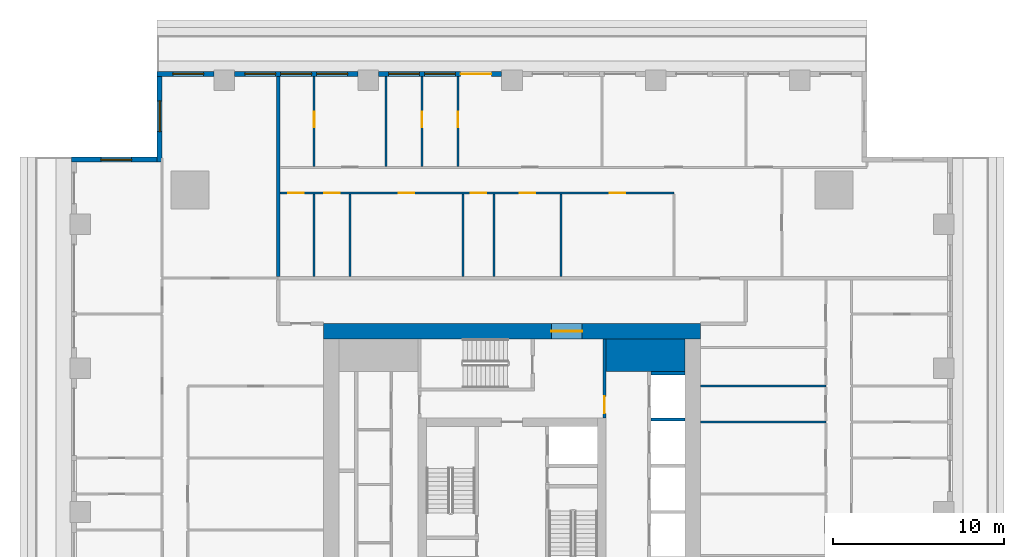
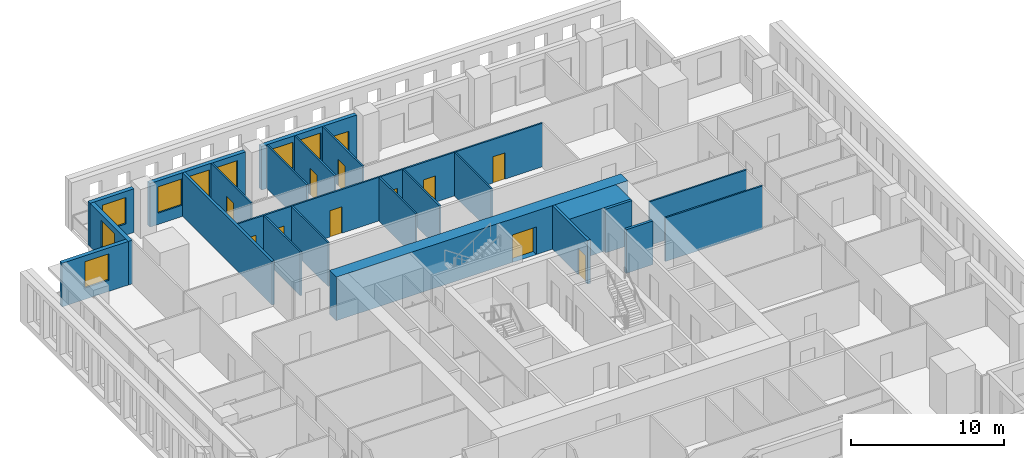
# One storey, part 7 of 14: 23 walls, 12 doors, 8 windows, 20 openings.
"""IFC4 building model written with IfcOpenShell, lengths in metres."""

from ifc_helpers import new_model, si_unit, direction, frame, frame_2d, origin, place, context, subcontext, project, spatial, rectangle, extrude, material, layer, layer_set, type_object, element, fill, save


model = new_model("IFC4")

# Units and contexts
model_context = context("Model", 3, precision=1e-05, world=origin(), true_north=direction((0.0, 1.0)))
body_context = subcontext(model_context, "Body", "Model", "MODEL_VIEW")
ifc_project = project(units=[si_unit("LENGTHUNIT", "METRE"), si_unit("AREAUNIT", "SQUARE_METRE"), si_unit("VOLUMEUNIT", "CUBIC_METRE"), si_unit("PLANEANGLEUNIT", "RADIAN"), si_unit("MASSUNIT", "GRAM", prefix="KILO")], contexts=[model_context])

# Site, building, storey
site_placement = place(None, origin())
site = spatial("IfcSite", under=ifc_project, at=site_placement, CompositionType="ELEMENT")
building_placement = place(site_placement, origin())
building = spatial("IfcBuilding", under=site, at=building_placement, Name="Khepri Terraces", CompositionType="ELEMENT")
storey_placement = place(building_placement, frame((0.0, 0.0, 267.89990234375)))
storey = spatial("IfcBuildingStorey", under=building, at=storey_placement, Name="L64", CompositionType="ELEMENT", Elevation=267.89990234375)

# Walls
ifc_material_1 = material(Name="Concrete C40/50", Category="concrete")
ifc_layer_1 = layer(ifc_material_1, 1.89990234375, Name="Concrete C40/50", Category="concrete")
ifc_layer_set_1 = layer_set([ifc_layer_1], Name="Concrete C40/50")
wall_type_1 = type_object("IfcWallType", Name="Core wall 1900 C40/50", PredefinedType="SHEAR", material=ifc_layer_set_1)
wall_1_placement = place(storey_placement, frame((5.5, 9.14990234375, 0.0), z_axis=(0.0, 0.0, 1.0), x_axis=(1.0, 0.0, 0.0)))
element("IfcWall", 1, at=wall_1_placement, inside=storey, type_object=wall_type_1, Name="Core wall PR04 L64", PredefinedType="SHEAR", context=body_context, shape_type="SweptSolid", body=[
    extrude(rectangle(XDim=4.60009765625, YDim=1.89990234375, at=frame_2d((2.300048828125, 0.0))), origin(), (0.0, 0.0, 1.0), 3.47998046875),
])
ifc_layer_2 = layer(ifc_material_1, 0.199951171875, Name="Concrete C40/50", Category="concrete")
ifc_layer_set_2 = layer_set([ifc_layer_2], Name="Concrete C40/50")
wall_type_2 = type_object("IfcWallType", Name="Core wall 200 C40/50", PredefinedType="SHEAR", material=ifc_layer_set_2)
for number, where, z_axis, x_axis, name in (
    (2, (8.10009765625, 5.39990234375, 0.0), (0.0, 0.0, 1.0), (1.0, 0.0, 0.0), "Core wall SH14 L64"),
    (3, (8.10009765625, 8.10009765625, 0.0), (0.0, 0.0, 1.0), (1.0, 0.0, 0.0), "Core wall SH15 L64"),
):
    element("IfcWall", number, at=place(storey_placement, frame(where, z_axis=z_axis, x_axis=x_axis)), inside=storey, type_object=wall_type_2, Name=name, PredefinedType="SHEAR", context=body_context, shape_type="SweptSolid", body=[
        extrude(rectangle(XDim=2.0, YDim=0.199951171875, at=frame_2d((1.0, 0.0))), origin(), (0.0, 0.0, 1.0), 3.47998046875),
    ])

# Wall, opening, door
ifc_layer_3 = layer(ifc_material_1, 0.89990234375, Name="Concrete C40/50", Category="concrete")
ifc_layer_set_3 = layer_set([ifc_layer_3], Name="Concrete C40/50")
wall_type_3 = type_object("IfcWallType", Name="Core wall 900 C40/50", PredefinedType="SHEAR", material=ifc_layer_set_3)
wall_2_placement = place(storey_placement, frame((-11.0, 10.550048828125, 0.0), z_axis=(0.0, 0.0, 1.0), x_axis=(1.0, 0.0, 0.0)))
wall_2 = element("IfcWall", 4, at=wall_2_placement, inside=storey, type_object=wall_type_3, Name="Core wall OW-N L64", PredefinedType="SHEAR", context=body_context, shape_type="SweptSolid", body=[
    extrude(rectangle(XDim=22.0, YDim=0.89990234375, at=frame_2d((11.0, 0.0))), origin(), (0.0, 0.0, 1.0), 3.47998046875),
])
opening_1_placement = place(wall_2_placement, frame((13.300048828125, 0.0, 0.0)))
opening_1 = element("IfcOpeningElement", 5, at=opening_1_placement, cuts=wall_2, Name="Opening L64-C20", PredefinedType="OPENING", context=body_context, shape_type="SweptSolid", body=[
    extrude(rectangle(XDim=1.800048828125, YDim=2.199951171875, at=frame_2d((0.89990234375, 1.10009765625))), frame((0.0, 0.4599609375, 0.0), z_axis=(0.0, -1.0, 0.0), x_axis=(1.0, 0.0, 0.0)), (0.0, 0.0, 1.0), 0.919921875),
])
ifc_material_2 = material(Name="Painted steel", Category="steel")
door_type_1 = type_object("IfcDoorType", Name="DR-CORE-ENTRANCE-1800", OperationType="NOTDEFINED", PredefinedType="DOOR", material=ifc_material_2)
door_1_placement = place(opening_1_placement, origin())
door_1 = element("IfcDoor", 6, at=door_1_placement, inside=storey, type_object=door_type_1, Name="Core entrance door pair L64-C20", OperationType="DOUBLE_DOOR_SINGLE_SWING", OverallHeight=2.199951171875, OverallWidth=1.800048828125, PredefinedType="DOOR", context=body_context, shape_type="SweptSolid", body=[
    extrude(rectangle(XDim=1.800048828125, YDim=2.199951171875, at=frame_2d((0.89990234375, 1.10009765625))), frame((0.0, 0.02490234375, 0.0), z_axis=(0.0, -1.0, 0.0), x_axis=(1.0, 0.0, 0.0)), (0.0, 0.0, 1.0), 0.050048828125),
])
fill(opening_1, door_1)

ifc_material_3 = material(Name="Fire-rated gypsum board partition")
ifc_layer_4 = layer(ifc_material_3, 0.199951171875, Name="Fire-rated gypsum board partition")
ifc_layer_set_4 = layer_set([ifc_layer_4], Name="Fire-rated gypsum board partition")
wall_type_4 = type_object("IfcWallType", Name="WL-CORE-PART-200", PredefinedType="PARTITIONING", material=ifc_layer_set_4)
wall_3_placement = place(storey_placement, frame((5.39990234375, 5.5, 0.0), z_axis=(0.0, 0.0, 1.0), x_axis=(0.0, 1.0, 0.0)))
wall_3 = element("IfcWall", 7, at=wall_3_placement, inside=storey, type_object=wall_type_4, Name="Core partition PT13 L64", PredefinedType="PARTITIONING", context=body_context, shape_type="SweptSolid", body=[
    extrude(rectangle(XDim=4.60009765625, YDim=0.199951171875, at=frame_2d((2.300048828125, 0.0))), origin(), (0.0, 0.0, 1.0), 3.47998046875),
])
opening_2_placement = place(wall_3_placement, frame((0.25, 0.0, 0.0)))
opening_2 = element("IfcOpeningElement", 8, at=opening_2_placement, cuts=wall_3, Name="Opening L64-C17", PredefinedType="OPENING", context=body_context, shape_type="SweptSolid", body=[
    extrude(rectangle(XDim=1.0, YDim=2.10009765625, at=frame_2d((0.5, 1.050048828125))), frame((0.0, 0.10986328125, 0.0), z_axis=(0.0, -1.0, 0.0), x_axis=(1.0, 0.0, 0.0)), (0.0, 0.0, 1.0), 0.219970703125),
])
door_type_2 = type_object("IfcDoorType", Name="DR-CORE-LOBBY-1000", OperationType="NOTDEFINED", PredefinedType="DOOR", material=ifc_material_2)
door_2_placement = place(opening_2_placement, origin())
door_2 = element("IfcDoor", 9, at=door_2_placement, inside=storey, type_object=door_type_2, Name="Lobby door L64-C17", OperationType="SINGLE_SWING_LEFT", OverallHeight=2.10009765625, OverallWidth=1.0, PredefinedType="DOOR", context=body_context, shape_type="SweptSolid", body=[
    extrude(rectangle(XDim=1.0, YDim=2.10009765625, at=frame_2d((0.5, 1.050048828125))), frame((0.0, 0.02490234375, 0.0), z_axis=(0.0, -1.0, 0.0), x_axis=(1.0, 0.0, 0.0)), (0.0, 0.0, 1.0), 0.050048828125),
])
fill(opening_2, door_2)

# Wall
ifc_material_4 = material(Name="Fire-rated gypsum plasterboard partition, mineral wool")
ifc_layer_5 = layer(ifc_material_4, 0.199951171875, Name="Fire-rated gypsum plasterboard partition, mineral wool")
ifc_layer_set_5 = layer_set([ifc_layer_5], Name="Fire-rated gypsum plasterboard partition, mineral wool")
wall_type_5 = type_object("IfcWallType", Name="WL-CORR-200", PredefinedType="PARTITIONING", material=ifc_layer_set_5)
wall_4_placement = place(storey_placement, frame((-13.64990234375, 13.75, 0.0), z_axis=(0.0, 0.0, 1.0), x_axis=(0.0, 1.0, 0.0)))
element("IfcWall", 10, at=wall_4_placement, inside=storey, type_object=wall_type_5, Name="Partition P-083 L64", PredefinedType="PARTITIONING", context=body_context, shape_type="SweptSolid", body=[
    extrude(rectangle(XDim=11.669921875, YDim=0.199951171875, at=frame_2d((5.8349609375, 0.0))), origin(), (0.0, 0.0, 1.0), 3.47998046875),
])

# Wall, openings, door, windows
ifc_material_5 = material(Name="Precast concrete C50/60 warm stone", Category="masonry")
ifc_layer_6 = layer(ifc_material_5, 0.300048828125, Name="Precast concrete C50/60 warm stone", Category="masonry")
ifc_layer_set_6 = layer_set([ifc_layer_6], Name="Precast concrete C50/60 warm stone")
wall_type_6 = type_object("IfcWallType", Name="WL-EXT-PRECAST-300", PredefinedType="STANDARD", material=ifc_layer_set_6)
wall_5_placement = place(storey_placement, frame((-0.60009765625, 25.570068359375, 0.0), z_axis=(0.0, 0.0, 1.0), x_axis=(-1.0, 0.0, 0.0)))
wall_5 = element("IfcWall", 11, at=wall_5_placement, inside=storey, type_object=wall_type_6, Name="External wall L64 N", PredefinedType="STANDARD", context=body_context, shape_type="SweptSolid", body=[
    extrude(rectangle(XDim=7.199951171875, YDim=0.300048828125, at=frame_2d((3.60009765625, 0.0))), origin(), (0.0, 0.0, 1.0), 3.47998046875),
])
opening_3_placement = place(wall_5_placement, frame((0.60009765625, 0.0, 0.0)))
opening_3 = element("IfcOpeningElement", 12, at=opening_3_placement, cuts=wall_5, Name="Opening ED-L64-10", PredefinedType="OPENING", context=body_context, shape_type="SweptSolid", body=[
    extrude(rectangle(XDim=1.800048828125, YDim=2.39990234375, at=frame_2d((0.89990234375, 1.199951171875))), frame((0.0, 0.16015625, 0.0), z_axis=(0.0, -1.0, 0.0), x_axis=(1.0, 0.0, 0.0)), (0.0, 0.0, 1.0), 0.320068359375),
])
opening_4_placement = place(wall_5_placement, frame((2.699951171875, 0.0, 0.89990234375)))
opening_4 = element("IfcOpeningElement", 13, at=opening_4_placement, cuts=wall_5, Name="Opening W1", PredefinedType="OPENING", context=body_context, shape_type="SweptSolid", body=[
    extrude(rectangle(XDim=1.800048828125, YDim=2.10009765625, at=frame_2d((0.89990234375, 1.050048828125))), frame((0.0, 0.16015625, 0.0), z_axis=(0.0, -1.0, 0.0), x_axis=(1.0, 0.0, 0.0)), (0.0, 0.0, 1.0), 0.320068359375),
])
opening_5_placement = place(wall_5_placement, frame((4.800048828125, 0.0, 0.89990234375)))
opening_5 = element("IfcOpeningElement", 14, at=opening_5_placement, cuts=wall_5, Name="Opening W1", PredefinedType="OPENING", context=body_context, shape_type="SweptSolid", body=[
    extrude(rectangle(XDim=1.800048828125, YDim=2.10009765625, at=frame_2d((0.89990234375, 1.050048828125))), frame((0.0, 0.16015625, 0.0), z_axis=(0.0, -1.0, 0.0), x_axis=(1.0, 0.0, 0.0)), (0.0, 0.0, 1.0), 0.320068359375),
])
ifc_material_6 = material(Name="Anodised aluminium bronze glazed door", Category="aluminium")
door_type_3 = type_object("IfcDoorType", Name="DR-BAL-SLIDE-1800x2400", OperationType="NOTDEFINED", PredefinedType="DOOR", material=ifc_material_6)
door_3_placement = place(opening_3_placement, origin())
door_3 = element("IfcDoor", 15, at=door_3_placement, inside=storey, type_object=door_type_3, Name="Balcony door L64 N", OperationType="SLIDING_TO_LEFT", OverallHeight=2.39990234375, OverallWidth=1.800048828125, PredefinedType="DOOR", context=body_context, shape_type="SweptSolid", body=[
    extrude(rectangle(XDim=1.800048828125, YDim=2.39990234375, at=frame_2d((0.89990234375, 1.199951171875))), frame((0.0, 0.02490234375, 0.0), z_axis=(0.0, -1.0, 0.0), x_axis=(1.0, 0.0, 0.0)), (0.0, 0.0, 1.0), 0.050048828125),
])
fill(opening_3, door_3)
ifc_material_7 = material(Name="Clear glass", Category="glass")
window_type = type_object("IfcWindowType", Name="WIN-RES-1800x2100", PartitioningType="SINGLE_PANEL", PredefinedType="WINDOW", material=ifc_material_7)
window_1_placement = place(opening_4_placement, origin())
window_1 = element("IfcWindow", 16, at=window_1_placement, inside=storey, type_object=window_type, Name="Window L64 N", OverallHeight=2.10009765625, OverallWidth=1.800048828125, PartitioningType="SINGLE_PANEL", PredefinedType="WINDOW", context=body_context, shape_type="SweptSolid", body=[
    extrude(rectangle(XDim=1.800048828125, YDim=2.10009765625, at=frame_2d((0.89990234375, 1.050048828125))), frame((0.0, 0.030029296875, 0.0), z_axis=(0.0, -1.0, 0.0), x_axis=(1.0, 0.0, 0.0)), (0.0, 0.0, 1.0), 0.06005859375),
])
fill(opening_4, window_1)
window_2_placement = place(opening_5_placement, origin())
window_2 = element("IfcWindow", 17, at=window_2_placement, inside=storey, type_object=window_type, Name="Window L64 N", OverallHeight=2.10009765625, OverallWidth=1.800048828125, PartitioningType="SINGLE_PANEL", PredefinedType="WINDOW", context=body_context, shape_type="SweptSolid", body=[
    extrude(rectangle(XDim=1.800048828125, YDim=2.10009765625, at=frame_2d((0.89990234375, 1.050048828125))), frame((0.0, 0.030029296875, 0.0), z_axis=(0.0, -1.0, 0.0), x_axis=(1.0, 0.0, 0.0)), (0.0, 0.0, 1.0), 0.06005859375),
])
fill(opening_5, window_2)

# Wall, openings, windows
wall_6_placement = place(storey_placement, frame((-9.0, 25.570068359375, 0.0), z_axis=(0.0, 0.0, 1.0), x_axis=(-1.0, 0.0, 0.0)))
wall_6 = element("IfcWall", 18, at=wall_6_placement, inside=storey, type_object=wall_type_6, Name="External wall L64 N", PredefinedType="STANDARD", context=body_context, shape_type="SweptSolid", body=[
    extrude(rectangle(XDim=7.199951171875, YDim=0.300048828125, at=frame_2d((3.60009765625, 0.0))), origin(), (0.0, 0.0, 1.0), 3.47998046875),
])
opening_6_placement = place(wall_6_placement, frame((0.60009765625, 0.0, 0.89990234375)))
opening_6 = element("IfcOpeningElement", 19, at=opening_6_placement, cuts=wall_6, Name="Opening W1", PredefinedType="OPENING", context=body_context, shape_type="SweptSolid", body=[
    extrude(rectangle(XDim=1.800048828125, YDim=2.10009765625, at=frame_2d((0.89990234375, 1.050048828125))), frame((0.0, 0.16015625, 0.0), z_axis=(0.0, -1.0, 0.0), x_axis=(1.0, 0.0, 0.0)), (0.0, 0.0, 1.0), 0.320068359375),
])
opening_7_placement = place(wall_6_placement, frame((2.699951171875, 0.0, 0.89990234375)))
opening_7 = element("IfcOpeningElement", 20, at=opening_7_placement, cuts=wall_6, Name="Opening W1", PredefinedType="OPENING", context=body_context, shape_type="SweptSolid", body=[
    extrude(rectangle(XDim=1.800048828125, YDim=2.10009765625, at=frame_2d((0.89990234375, 1.050048828125))), frame((0.0, 0.16015625, 0.0), z_axis=(0.0, -1.0, 0.0), x_axis=(1.0, 0.0, 0.0)), (0.0, 0.0, 1.0), 0.320068359375),
])
opening_8_placement = place(wall_6_placement, frame((4.800048828125, 0.0, 0.89990234375)))
opening_8 = element("IfcOpeningElement", 21, at=opening_8_placement, cuts=wall_6, Name="Opening W1", PredefinedType="OPENING", context=body_context, shape_type="SweptSolid", body=[
    extrude(rectangle(XDim=1.800048828125, YDim=2.10009765625, at=frame_2d((0.89990234375, 1.050048828125))), frame((0.0, 0.16015625, 0.0), z_axis=(0.0, -1.0, 0.0), x_axis=(1.0, 0.0, 0.0)), (0.0, 0.0, 1.0), 0.320068359375),
])
window_3_placement = place(opening_6_placement, origin())
window_3 = element("IfcWindow", 22, at=window_3_placement, inside=storey, type_object=window_type, Name="Window L64 N", OverallHeight=2.10009765625, OverallWidth=1.800048828125, PartitioningType="SINGLE_PANEL", PredefinedType="WINDOW", context=body_context, shape_type="SweptSolid", body=[
    extrude(rectangle(XDim=1.800048828125, YDim=2.10009765625, at=frame_2d((0.89990234375, 1.050048828125))), frame((0.0, 0.030029296875, 0.0), z_axis=(0.0, -1.0, 0.0), x_axis=(1.0, 0.0, 0.0)), (0.0, 0.0, 1.0), 0.06005859375),
])
fill(opening_6, window_3)
window_4_placement = place(opening_7_placement, origin())
window_4 = element("IfcWindow", 23, at=window_4_placement, inside=storey, type_object=window_type, Name="Window L64 N", OverallHeight=2.10009765625, OverallWidth=1.800048828125, PartitioningType="SINGLE_PANEL", PredefinedType="WINDOW", context=body_context, shape_type="SweptSolid", body=[
    extrude(rectangle(XDim=1.800048828125, YDim=2.10009765625, at=frame_2d((0.89990234375, 1.050048828125))), frame((0.0, 0.030029296875, 0.0), z_axis=(0.0, -1.0, 0.0), x_axis=(1.0, 0.0, 0.0)), (0.0, 0.0, 1.0), 0.06005859375),
])
fill(opening_7, window_4)
window_5_placement = place(opening_8_placement, origin())
window_5 = element("IfcWindow", 24, at=window_5_placement, inside=storey, type_object=window_type, Name="Window L64 N", OverallHeight=2.10009765625, OverallWidth=1.800048828125, PartitioningType="SINGLE_PANEL", PredefinedType="WINDOW", context=body_context, shape_type="SweptSolid", body=[
    extrude(rectangle(XDim=1.800048828125, YDim=2.10009765625, at=frame_2d((0.89990234375, 1.050048828125))), frame((0.0, 0.030029296875, 0.0), z_axis=(0.0, -1.0, 0.0), x_axis=(1.0, 0.0, 0.0)), (0.0, 0.0, 1.0), 0.06005859375),
])
fill(opening_8, window_5)

# Wall, opening, window
wall_7_placement = place(storey_placement, frame((-17.39990234375, 25.570068359375, 0.0), z_axis=(0.0, 0.0, 1.0), x_axis=(-1.0, 0.0, 0.0)))
wall_7 = element("IfcWall", 25, at=wall_7_placement, inside=storey, type_object=wall_type_6, Name="External wall L64 N", PredefinedType="STANDARD", context=body_context, shape_type="SweptSolid", body=[
    extrude(rectangle(XDim=3.320068359375, YDim=0.300048828125, at=frame_2d((1.66015625, 0.0))), origin(), (0.0, 0.0, 1.0), 3.47998046875),
])
opening_9_placement = place(wall_7_placement, frame((0.60009765625, 0.0, 0.89990234375)))
opening_9 = element("IfcOpeningElement", 26, at=opening_9_placement, cuts=wall_7, Name="Opening W1", PredefinedType="OPENING", context=body_context, shape_type="SweptSolid", body=[
    extrude(rectangle(XDim=1.800048828125, YDim=2.10009765625, at=frame_2d((0.89990234375, 1.050048828125))), frame((0.0, 0.16015625, 0.0), z_axis=(0.0, -1.0, 0.0), x_axis=(1.0, 0.0, 0.0)), (0.0, 0.0, 1.0), 0.320068359375),
])
window_6_placement = place(opening_9_placement, origin())
window_6 = element("IfcWindow", 27, at=window_6_placement, inside=storey, type_object=window_type, Name="Window L64 N", OverallHeight=2.10009765625, OverallWidth=1.800048828125, PartitioningType="SINGLE_PANEL", PredefinedType="WINDOW", context=body_context, shape_type="SweptSolid", body=[
    extrude(rectangle(XDim=1.800048828125, YDim=2.10009765625, at=frame_2d((0.89990234375, 1.050048828125))), frame((0.0, 0.030029296875, 0.0), z_axis=(0.0, -1.0, 0.0), x_axis=(1.0, 0.0, 0.0)), (0.0, 0.0, 1.0), 0.06005859375),
])
fill(opening_9, window_6)

wall_8_placement = place(storey_placement, frame((-20.570068359375, 25.419921875, 0.0), z_axis=(0.0, 0.0, 1.0), x_axis=(0.0, -1.0, 0.0)))
wall_8 = element("IfcWall", 28, at=wall_8_placement, inside=storey, type_object=wall_type_6, Name="External wall L64 W", PredefinedType="STANDARD", context=body_context, shape_type="SweptSolid", body=[
    extrude(rectangle(XDim=5.0, YDim=0.300048828125, at=frame_2d((2.5, 0.0))), origin(), (0.0, 0.0, 1.0), 3.47998046875),
])
opening_10_placement = place(wall_8_placement, frame((1.419921875, 0.0, 0.89990234375)))
opening_10 = element("IfcOpeningElement", 29, at=opening_10_placement, cuts=wall_8, Name="Opening W1", PredefinedType="OPENING", context=body_context, shape_type="SweptSolid", body=[
    extrude(rectangle(XDim=1.800048828125, YDim=2.10009765625, at=frame_2d((0.89990234375, 1.050048828125))), frame((0.0, 0.16015625, 0.0), z_axis=(0.0, -1.0, 0.0), x_axis=(1.0, 0.0, 0.0)), (0.0, 0.0, 1.0), 0.320068359375),
])
window_7_placement = place(opening_10_placement, origin())
window_7 = element("IfcWindow", 30, at=window_7_placement, inside=storey, type_object=window_type, Name="Window L64 W", OverallHeight=2.10009765625, OverallWidth=1.800048828125, PartitioningType="SINGLE_PANEL", PredefinedType="WINDOW", context=body_context, shape_type="SweptSolid", body=[
    extrude(rectangle(XDim=1.800048828125, YDim=2.10009765625, at=frame_2d((0.89990234375, 1.050048828125))), frame((0.0, 0.030029296875, 0.0), z_axis=(0.0, -1.0, 0.0), x_axis=(1.0, 0.0, 0.0)), (0.0, 0.0, 1.0), 0.06005859375),
])
fill(opening_10, window_7)

wall_9_placement = place(storey_placement, frame((-20.719970703125, 20.570068359375, 0.0), z_axis=(0.0, 0.0, 1.0), x_axis=(-1.0, 0.0, 0.0)))
wall_9 = element("IfcWall", 31, at=wall_9_placement, inside=storey, type_object=wall_type_6, Name="External wall L64 N", PredefinedType="STANDARD", context=body_context, shape_type="SweptSolid", body=[
    extrude(rectangle(XDim=5.0, YDim=0.300048828125, at=frame_2d((2.5, 0.0))), origin(), (0.0, 0.0, 1.0), 3.47998046875),
])
opening_11_placement = place(wall_9_placement, frame((1.47998046875, 0.0, 0.89990234375)))
opening_11 = element("IfcOpeningElement", 32, at=opening_11_placement, cuts=wall_9, Name="Opening W1", PredefinedType="OPENING", context=body_context, shape_type="SweptSolid", body=[
    extrude(rectangle(XDim=1.800048828125, YDim=2.10009765625, at=frame_2d((0.89990234375, 1.050048828125))), frame((0.0, 0.16015625, 0.0), z_axis=(0.0, -1.0, 0.0), x_axis=(1.0, 0.0, 0.0)), (0.0, 0.0, 1.0), 0.320068359375),
])
window_8_placement = place(opening_11_placement, origin())
window_8 = element("IfcWindow", 33, at=window_8_placement, inside=storey, type_object=window_type, Name="Window L64 N", OverallHeight=2.10009765625, OverallWidth=1.800048828125, PartitioningType="SINGLE_PANEL", PredefinedType="WINDOW", context=body_context, shape_type="SweptSolid", body=[
    extrude(rectangle(XDim=1.800048828125, YDim=2.10009765625, at=frame_2d((0.89990234375, 1.050048828125))), frame((0.0, 0.030029296875, 0.0), z_axis=(0.0, -1.0, 0.0), x_axis=(1.0, 0.0, 0.0)), (0.0, 0.0, 1.0), 0.06005859375),
])
fill(opening_11, window_8)

# Walls
ifc_material_8 = material(Name="Gypsum plasterboard partition")
ifc_layer_7 = layer(ifc_material_8, 0.1201171875, Name="Gypsum plasterboard partition")
ifc_layer_set_7 = layer_set([ifc_layer_7], Name="Gypsum plasterboard partition")
wall_type_7 = type_object("IfcWallType", Name="WL-PART-120", PredefinedType="PARTITIONING", material=ifc_layer_set_7)
for number, where, z_axis, x_axis, name in (
    (34, (11.0, 5.25, 0.0), (0.0, 0.0, 1.0), (1.0, 0.0, 0.0), "Partition P-061 L64"),
    (35, (11.0, 7.35009765625, 0.0), (0.0, 0.0, 1.0), (1.0, 0.0, 0.0), "Partition P-066 L64"),
):
    element("IfcWall", number, at=place(storey_placement, frame(where, z_axis=z_axis, x_axis=x_axis)), inside=storey, type_object=wall_type_7, Name=name, PredefinedType="PARTITIONING", context=body_context, shape_type="SweptSolid", body=[
        extrude(rectangle(XDim=7.320068359375, YDim=0.1201171875, at=frame_2d((3.66015625, 0.0))), origin(), (0.0, 0.0, 1.0), 3.47998046875),
    ])
for number, where, z_axis, x_axis, name in (
    (36, (-11.550048828125, 13.75, 0.0), (0.0, 0.0, 1.0), (0.0, 1.0, 0.0), "Partition P-084 L64"),
    (37, (-9.449951171875, 13.75, 0.0), (0.0, 0.0, 1.0), (0.0, 1.0, 0.0), "Partition P-085 L64"),
    (38, (-2.85009765625, 13.75, 0.0), (0.0, 0.0, 1.0), (0.0, 1.0, 0.0), "Partition P-086 L64"),
    (39, (-1.050048828125, 13.75, 0.0), (0.0, 0.0, 1.0), (0.0, 1.0, 0.0), "Partition P-087 L64"),
    (40, (2.85009765625, 13.75, 0.0), (0.0, 0.0, 1.0), (0.0, 1.0, 0.0), "Partition P-088 L64"),
):
    element("IfcWall", number, at=place(storey_placement, frame(where, z_axis=z_axis, x_axis=x_axis)), inside=storey, type_object=wall_type_7, Name=name, PredefinedType="PARTITIONING", context=body_context, shape_type="SweptSolid", body=[
        extrude(rectangle(XDim=4.81005859375, YDim=0.1201171875, at=frame_2d((2.405029296875, 0.0))), origin(), (0.0, 0.0, 1.0), 3.47998046875),
    ])

# Wall, openings, doors
wall_10_placement = place(storey_placement, frame((-13.550048828125, 18.6201171875, 0.0), z_axis=(0.0, 0.0, 1.0), x_axis=(1.0, 0.0, 0.0)))
wall_10 = element("IfcWall", 41, at=wall_10_placement, inside=storey, type_object=wall_type_7, Name="Partition P-091 L64", PredefinedType="PARTITIONING", context=body_context, shape_type="SweptSolid", body=[
    extrude(rectangle(XDim=23.0, YDim=0.1201171875, at=frame_2d((11.5, 0.0))), origin(), (0.0, 0.0, 1.0), 3.47998046875),
])
opening_12_placement = place(wall_10_placement, frame((19.25, 0.0, 0.0)))
opening_12 = element("IfcOpeningElement", 42, at=opening_12_placement, cuts=wall_10, Name="Opening D3", PredefinedType="OPENING", context=body_context, shape_type="SweptSolid", body=[
    extrude(rectangle(XDim=0.89990234375, YDim=2.10009765625, at=frame_2d((0.449951171875, 1.050048828125))), frame((0.0, 0.070068359375, 0.0), z_axis=(0.0, -1.0, 0.0), x_axis=(1.0, 0.0, 0.0)), (0.0, 0.0, 1.0), 0.14013671875),
])
opening_13_placement = place(wall_10_placement, frame((14.0, 0.0, 0.0)))
opening_13 = element("IfcOpeningElement", 43, at=opening_13_placement, cuts=wall_10, Name="Opening D3", PredefinedType="OPENING", context=body_context, shape_type="SweptSolid", body=[
    extrude(rectangle(XDim=0.89990234375, YDim=2.10009765625, at=frame_2d((0.449951171875, 1.050048828125))), frame((0.0, 0.070068359375, 0.0), z_axis=(0.0, -1.0, 0.0), x_axis=(1.0, 0.0, 0.0)), (0.0, 0.0, 1.0), 0.14013671875),
])
opening_14_placement = place(wall_10_placement, frame((11.14990234375, 0.0, 0.0)))
opening_14 = element("IfcOpeningElement", 44, at=opening_14_placement, cuts=wall_10, Name="Opening D4", PredefinedType="OPENING", context=body_context, shape_type="SweptSolid", body=[
    extrude(rectangle(XDim=0.89990234375, YDim=2.10009765625, at=frame_2d((0.449951171875, 1.050048828125))), frame((0.0, 0.070068359375, 0.0), z_axis=(0.0, -1.0, 0.0), x_axis=(1.0, 0.0, 0.0)), (0.0, 0.0, 1.0), 0.14013671875),
])
opening_15_placement = place(wall_10_placement, frame((6.949951171875, 0.0, 0.0)))
opening_15 = element("IfcOpeningElement", 45, at=opening_15_placement, cuts=wall_10, Name="Opening D3", PredefinedType="OPENING", context=body_context, shape_type="SweptSolid", body=[
    extrude(rectangle(XDim=0.89990234375, YDim=2.10009765625, at=frame_2d((0.449951171875, 1.050048828125))), frame((0.0, 0.070068359375, 0.0), z_axis=(0.0, -1.0, 0.0), x_axis=(1.0, 0.0, 0.0)), (0.0, 0.0, 1.0), 0.14013671875),
])
opening_16_placement = place(wall_10_placement, frame((2.60009765625, 0.0, 0.0)))
opening_16 = element("IfcOpeningElement", 46, at=opening_16_placement, cuts=wall_10, Name="Opening D4", PredefinedType="OPENING", context=body_context, shape_type="SweptSolid", body=[
    extrude(rectangle(XDim=0.89990234375, YDim=2.10009765625, at=frame_2d((0.449951171875, 1.050048828125))), frame((0.0, 0.070068359375, 0.0), z_axis=(0.0, -1.0, 0.0), x_axis=(1.0, 0.0, 0.0)), (0.0, 0.0, 1.0), 0.14013671875),
])
opening_17_placement = place(wall_10_placement, frame((0.5, 0.0, 0.0)))
opening_17 = element("IfcOpeningElement", 47, at=opening_17_placement, cuts=wall_10, Name="Opening D3", PredefinedType="OPENING", context=body_context, shape_type="SweptSolid", body=[
    extrude(rectangle(XDim=0.89990234375, YDim=2.10009765625, at=frame_2d((0.449951171875, 1.050048828125))), frame((0.0, 0.070068359375, 0.0), z_axis=(0.0, -1.0, 0.0), x_axis=(1.0, 0.0, 0.0)), (0.0, 0.0, 1.0), 0.14013671875),
])
ifc_material_9 = material(Name="Timber door leaf", Category="wood")
door_type_4 = type_object("IfcDoorType", Name="DR-INT-900", OperationType="NOTDEFINED", PredefinedType="DOOR", material=ifc_material_9)
door_4_placement = place(opening_12_placement, frame((0.89990234375, 0.0, 0.0), z_axis=(0.0, 0.0, 1.0), x_axis=(-1.0, 0.0, 0.0)))
door_4 = element("IfcDoor", 48, at=door_4_placement, inside=storey, type_object=door_type_4, Name="Door Kitchen", OperationType="SINGLE_SWING_LEFT", OverallHeight=2.10009765625, OverallWidth=0.89990234375, PredefinedType="DOOR", context=body_context, shape_type="SweptSolid", body=[
    extrude(rectangle(XDim=0.89990234375, YDim=2.10009765625, at=frame_2d((0.449951171875, 1.050048828125))), frame((0.0, 0.02490234375, 0.0), z_axis=(0.0, -1.0, 0.0), x_axis=(1.0, 0.0, 0.0)), (0.0, 0.0, 1.0), 0.050048828125),
])
fill(opening_12, door_4)
door_5_placement = place(opening_13_placement, frame((0.89990234375, 0.0, 0.0), z_axis=(0.0, 0.0, 1.0), x_axis=(-1.0, 0.0, 0.0)))
door_5 = element("IfcDoor", 49, at=door_5_placement, inside=storey, type_object=door_type_4, Name="Door Utility Room", OperationType="SINGLE_SWING_LEFT", OverallHeight=2.10009765625, OverallWidth=0.89990234375, PredefinedType="DOOR", context=body_context, shape_type="SweptSolid", body=[
    extrude(rectangle(XDim=0.89990234375, YDim=2.10009765625, at=frame_2d((0.449951171875, 1.050048828125))), frame((0.0, 0.02490234375, 0.0), z_axis=(0.0, -1.0, 0.0), x_axis=(1.0, 0.0, 0.0)), (0.0, 0.0, 1.0), 0.050048828125),
])
fill(opening_13, door_5)
door_6_placement = place(opening_15_placement, frame((0.89990234375, 0.0, 0.0), z_axis=(0.0, 0.0, 1.0), x_axis=(-1.0, 0.0, 0.0)))
door_6 = element("IfcDoor", 50, at=door_6_placement, inside=storey, type_object=door_type_4, Name="Door Staff Bedroom", OperationType="SINGLE_SWING_RIGHT", OverallHeight=2.10009765625, OverallWidth=0.89990234375, PredefinedType="DOOR", context=body_context, shape_type="SweptSolid", body=[
    extrude(rectangle(XDim=0.89990234375, YDim=2.10009765625, at=frame_2d((0.449951171875, 1.050048828125))), frame((0.0, 0.02490234375, 0.0), z_axis=(0.0, -1.0, 0.0), x_axis=(1.0, 0.0, 0.0)), (0.0, 0.0, 1.0), 0.050048828125),
])
fill(opening_15, door_6)
door_7_placement = place(opening_17_placement, frame((0.89990234375, 0.0, 0.0), z_axis=(0.0, 0.0, 1.0), x_axis=(-1.0, 0.0, 0.0)))
door_7 = element("IfcDoor", 51, at=door_7_placement, inside=storey, type_object=door_type_4, Name="Door Utility Room", OperationType="SINGLE_SWING_RIGHT", OverallHeight=2.10009765625, OverallWidth=0.89990234375, PredefinedType="DOOR", context=body_context, shape_type="SweptSolid", body=[
    extrude(rectangle(XDim=0.89990234375, YDim=2.10009765625, at=frame_2d((0.449951171875, 1.050048828125))), frame((0.0, 0.02490234375, 0.0), z_axis=(0.0, -1.0, 0.0), x_axis=(1.0, 0.0, 0.0)), (0.0, 0.0, 1.0), 0.050048828125),
])
fill(opening_17, door_7)
ifc_material_10 = material(Name="Timber door leaf, moisture resistant", Category="wood")
door_type_5 = type_object("IfcDoorType", Name="DR-WET-900", OperationType="NOTDEFINED", PredefinedType="DOOR", material=ifc_material_10)
door_8_placement = place(opening_14_placement, frame((0.89990234375, 0.0, 0.0), z_axis=(0.0, 0.0, 1.0), x_axis=(-1.0, 0.0, 0.0)))
door_8 = element("IfcDoor", 52, at=door_8_placement, inside=storey, type_object=door_type_5, Name="Door Powder Room", OperationType="SINGLE_SWING_LEFT", OverallHeight=2.10009765625, OverallWidth=0.89990234375, PredefinedType="DOOR", context=body_context, shape_type="SweptSolid", body=[
    extrude(rectangle(XDim=0.89990234375, YDim=2.10009765625, at=frame_2d((0.449951171875, 1.050048828125))), frame((0.0, 0.02490234375, 0.0), z_axis=(0.0, -1.0, 0.0), x_axis=(1.0, 0.0, 0.0)), (0.0, 0.0, 1.0), 0.050048828125),
])
fill(opening_14, door_8)
door_9_placement = place(opening_16_placement, frame((0.89990234375, 0.0, 0.0), z_axis=(0.0, 0.0, 1.0), x_axis=(-1.0, 0.0, 0.0)))
door_9 = element("IfcDoor", 53, at=door_9_placement, inside=storey, type_object=door_type_5, Name="Door Guest Bathroom", OperationType="SINGLE_SWING_RIGHT", OverallHeight=2.10009765625, OverallWidth=0.89990234375, PredefinedType="DOOR", context=body_context, shape_type="SweptSolid", body=[
    extrude(rectangle(XDim=0.89990234375, YDim=2.10009765625, at=frame_2d((0.449951171875, 1.050048828125))), frame((0.0, 0.02490234375, 0.0), z_axis=(0.0, -1.0, 0.0), x_axis=(1.0, 0.0, 0.0)), (0.0, 0.0, 1.0), 0.050048828125),
])
fill(opening_16, door_9)

# Wall, opening, door
wall_11_placement = place(storey_placement, frame((-11.550048828125, 20.179931640625, 0.0), z_axis=(0.0, 0.0, 1.0), x_axis=(0.0, 1.0, 0.0)))
wall_11 = element("IfcWall", 54, at=wall_11_placement, inside=storey, type_object=wall_type_7, Name="Partition P-093 L64", PredefinedType="PARTITIONING", context=body_context, shape_type="SweptSolid", body=[
    extrude(rectangle(XDim=5.239990234375, YDim=0.1201171875, at=frame_2d((2.6201171875, 0.0))), origin(), (0.0, 0.0, 1.0), 3.47998046875),
])
opening_18_placement = place(wall_11_placement, frame((2.2900390625, 0.0, 0.0)))
opening_18 = element("IfcOpeningElement", 55, at=opening_18_placement, cuts=wall_11, Name="Opening D4", PredefinedType="OPENING", context=body_context, shape_type="SweptSolid", body=[
    extrude(rectangle(XDim=0.89990234375, YDim=2.10009765625, at=frame_2d((0.449951171875, 1.050048828125))), frame((0.0, 0.070068359375, 0.0), z_axis=(0.0, -1.0, 0.0), x_axis=(1.0, 0.0, 0.0)), (0.0, 0.0, 1.0), 0.14013671875),
])
door_10_placement = place(opening_18_placement, origin())
door_10 = element("IfcDoor", 56, at=door_10_placement, inside=storey, type_object=door_type_5, Name="Door Bathroom", OperationType="SINGLE_SWING_RIGHT", OverallHeight=2.10009765625, OverallWidth=0.89990234375, PredefinedType="DOOR", context=body_context, shape_type="SweptSolid", body=[
    extrude(rectangle(XDim=0.89990234375, YDim=2.10009765625, at=frame_2d((0.449951171875, 1.050048828125))), frame((0.0, 0.02490234375, 0.0), z_axis=(0.0, -1.0, 0.0), x_axis=(1.0, 0.0, 0.0)), (0.0, 0.0, 1.0), 0.050048828125),
])
fill(opening_18, door_10)

# Wall
wall_12_placement = place(storey_placement, frame((-7.35009765625, 20.179931640625, 0.0), z_axis=(0.0, 0.0, 1.0), x_axis=(0.0, 1.0, 0.0)))
element("IfcWall", 57, at=wall_12_placement, inside=storey, type_object=wall_type_7, Name="Partition P-094 L64", PredefinedType="PARTITIONING", context=body_context, shape_type="SweptSolid", body=[
    extrude(rectangle(XDim=5.239990234375, YDim=0.1201171875, at=frame_2d((2.6201171875, 0.0))), origin(), (0.0, 0.0, 1.0), 3.47998046875),
])

# Wall, opening, door
wall_13_placement = place(storey_placement, frame((-5.25, 20.179931640625, 0.0), z_axis=(0.0, 0.0, 1.0), x_axis=(0.0, 1.0, 0.0)))
wall_13 = element("IfcWall", 58, at=wall_13_placement, inside=storey, type_object=wall_type_7, Name="Partition P-095 L64", PredefinedType="PARTITIONING", context=body_context, shape_type="SweptSolid", body=[
    extrude(rectangle(XDim=5.239990234375, YDim=0.1201171875, at=frame_2d((2.6201171875, 0.0))), origin(), (0.0, 0.0, 1.0), 3.47998046875),
])
opening_19_placement = place(wall_13_placement, frame((2.2900390625, 0.0, 0.0)))
opening_19 = element("IfcOpeningElement", 59, at=opening_19_placement, cuts=wall_13, Name="Opening D4", PredefinedType="OPENING", context=body_context, shape_type="SweptSolid", body=[
    extrude(rectangle(XDim=0.89990234375, YDim=2.10009765625, at=frame_2d((0.449951171875, 1.050048828125))), frame((0.0, 0.070068359375, 0.0), z_axis=(0.0, -1.0, 0.0), x_axis=(1.0, 0.0, 0.0)), (0.0, 0.0, 1.0), 0.14013671875),
])
door_11_placement = place(opening_19_placement, origin())
door_11 = element("IfcDoor", 60, at=door_11_placement, inside=storey, type_object=door_type_5, Name="Door Bathroom", OperationType="SINGLE_SWING_RIGHT", OverallHeight=2.10009765625, OverallWidth=0.89990234375, PredefinedType="DOOR", context=body_context, shape_type="SweptSolid", body=[
    extrude(rectangle(XDim=0.89990234375, YDim=2.10009765625, at=frame_2d((0.449951171875, 1.050048828125))), frame((0.0, 0.02490234375, 0.0), z_axis=(0.0, -1.0, 0.0), x_axis=(1.0, 0.0, 0.0)), (0.0, 0.0, 1.0), 0.050048828125),
])
fill(opening_19, door_11)

wall_14_placement = place(storey_placement, frame((-3.14990234375, 20.179931640625, 0.0), z_axis=(0.0, 0.0, 1.0), x_axis=(0.0, 1.0, 0.0)))
wall_14 = element("IfcWall", 61, at=wall_14_placement, inside=storey, type_object=wall_type_7, Name="Partition P-096 L64", PredefinedType="PARTITIONING", context=body_context, shape_type="SweptSolid", body=[
    extrude(rectangle(XDim=5.239990234375, YDim=0.1201171875, at=frame_2d((2.6201171875, 0.0))), origin(), (0.0, 0.0, 1.0), 3.47998046875),
])
opening_20_placement = place(wall_14_placement, frame((2.2900390625, 0.0, 0.0)))
opening_20 = element("IfcOpeningElement", 62, at=opening_20_placement, cuts=wall_14, Name="Opening D3", PredefinedType="OPENING", context=body_context, shape_type="SweptSolid", body=[
    extrude(rectangle(XDim=0.89990234375, YDim=2.10009765625, at=frame_2d((0.449951171875, 1.050048828125))), frame((0.0, 0.070068359375, 0.0), z_axis=(0.0, -1.0, 0.0), x_axis=(1.0, 0.0, 0.0)), (0.0, 0.0, 1.0), 0.14013671875),
])
door_12_placement = place(opening_20_placement, origin())
door_12 = element("IfcDoor", 63, at=door_12_placement, inside=storey, type_object=door_type_4, Name="Door Dressing Room", OperationType="SINGLE_SWING_RIGHT", OverallHeight=2.10009765625, OverallWidth=0.89990234375, PredefinedType="DOOR", context=body_context, shape_type="SweptSolid", body=[
    extrude(rectangle(XDim=0.89990234375, YDim=2.10009765625, at=frame_2d((0.449951171875, 1.050048828125))), frame((0.0, 0.02490234375, 0.0), z_axis=(0.0, -1.0, 0.0), x_axis=(1.0, 0.0, 0.0)), (0.0, 0.0, 1.0), 0.050048828125),
])
fill(opening_20, door_12)

save(model, "model.ifc")
